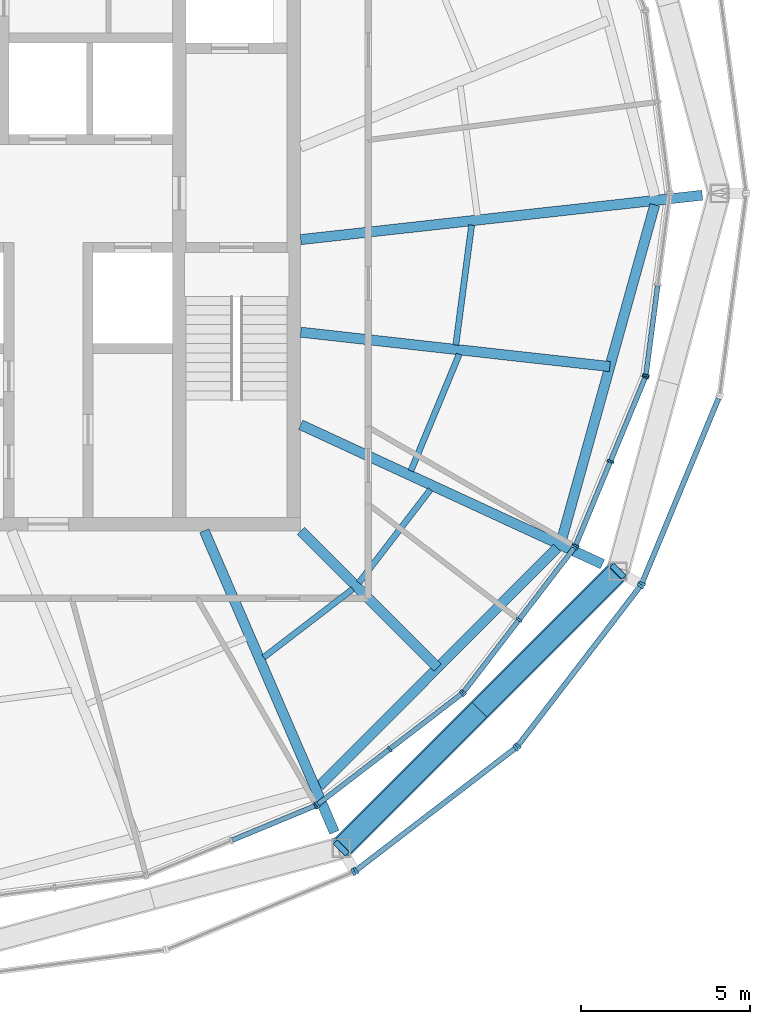
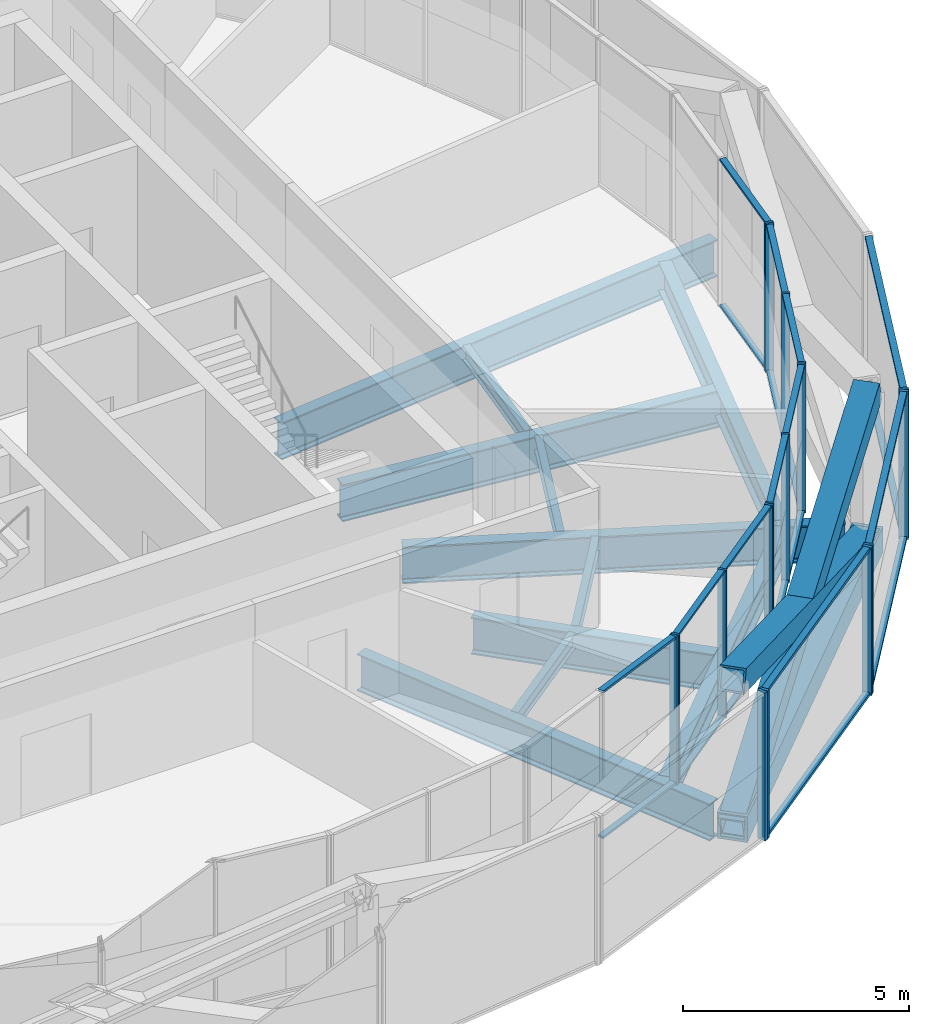
# One storey, part 5 of 17: 41 members, 12 beams, 9 elements without a shape of their own.
"""IFC4 building model written with IfcOpenShell, lengths in metres."""

import ifcopenshell
import ifcopenshell.guid

model = None  # the IFC model being written
_history = None  # IfcOwnerHistory: only IFC2X3 demands one
_inside = {}  # id of a spatial element -> (the spatial element, [elements in it])
_under = {}  # id of a project, library or spatial element -> (it, [spatial elements below it])
_declared = {}  # id of a project -> (the project, [libraries it declares])
_typed = {}  # id of a type object -> (the type object, [elements of that type])
_made_of = {}  # id of a material, layer set ... -> (it, [elements and type objects made of it])


def new_model(schema):
    """Start an empty IFC model of exactly this schema.

    Asked for "IFC4X3", IfcOpenShell would pick the latest addendum, in which some entities
    have other attributes; the version numbers below select the first issue.
    IFC2X3 requires an IfcOwnerHistory on every rooted entity: one is made here for all.
    """
    global model, _history
    if schema == "IFC4X3":
        model = ifcopenshell.file(schema_version=(4, 3, 0, 0))
    else:
        model = ifcopenshell.file(schema=schema)
    _inside.clear()
    _under.clear()
    _declared.clear()
    _typed.clear()
    _made_of.clear()
    _history = None
    if model.schema == "IFC2X3":
        org = make("IfcOrganization", Name="unknown")
        user = make(
            "IfcPersonAndOrganization",
            ThePerson=make("IfcPerson", FamilyName="unknown"),
            TheOrganization=org,
        )
        app = make(
            "IfcApplication",
            ApplicationDeveloper=org,
            Version="unknown",
            ApplicationFullName="unknown",
            ApplicationIdentifier="unknown",
        )
        _history = make(
            "IfcOwnerHistory",
            OwningUser=user,
            OwningApplication=app,
            ChangeAction="ADDED",
            CreationDate=0,
        )
    return model


def make(cls, **values):
    """One entity of the class cls with the attributes given. An attribute that is None is left unset."""
    return model.create_entity(
        cls, **{name: value for name, value in values.items() if value is not None}
    )


def rooted(cls, **values):
    """An entity with a GlobalId (a new one), such as an element, a storey or a relation."""
    return make(cls, GlobalId=ifcopenshell.guid.new(), OwnerHistory=_history, **values)


def si_unit(unit_type, name, prefix=None):
    """IfcSIUnit, for example si_unit("LENGTHUNIT", "METRE", prefix="MILLI")."""
    return make("IfcSIUnit", UnitType=unit_type, Prefix=prefix, Name=name)


def assignment(units):
    """IfcUnitAssignment: the units of a project."""
    return None if units is None else make("IfcUnitAssignment", Units=units)


def point(xyz):
    """IfcCartesianPoint."""
    return None if xyz is None else make("IfcCartesianPoint", Coordinates=xyz)


def direction(xyz):
    """IfcDirection."""
    return None if xyz is None else make("IfcDirection", DirectionRatios=xyz)


def frame(location, z_axis=None, x_axis=None):
    """IfcAxis2Placement3D, a coordinate frame: its origin and axes. An axis left out is left unset."""
    return make(
        "IfcAxis2Placement3D",
        Location=point(location),
        Axis=direction(z_axis),
        RefDirection=direction(x_axis),
    )


def frame_2d(location, x_axis=None):
    """IfcAxis2Placement2D, a coordinate frame in the plane: its origin and x axis."""
    return make(
        "IfcAxis2Placement2D", Location=point(location), RefDirection=direction(x_axis)
    )


def origin():
    """The frame at (0, 0, 0) with its axes left unset."""
    return frame((0.0, 0.0, 0.0))


def origin_2d():
    """The frame at (0, 0) in the plane with its x axis left unset."""
    return frame_2d((0.0, 0.0))


def place(relative_to, where):
    """IfcLocalPlacement: puts the frame where relative to a parent placement (None: the world)."""
    return make(
        "IfcLocalPlacement", PlacementRelTo=relative_to, RelativePlacement=where
    )


def context(
    kind, dimensions, precision=None, world=None, true_north=None, identifier=None
):
    """IfcGeometricRepresentationContext, for example the 3D "Model" context."""
    return make(
        "IfcGeometricRepresentationContext",
        ContextIdentifier=identifier,
        ContextType=kind,
        CoordinateSpaceDimension=dimensions,
        Precision=precision,
        WorldCoordinateSystem=world,
        TrueNorth=true_north,
    )


def subcontext(parent, identifier, kind, view, scale=None):
    """IfcGeometricRepresentationSubContext, for example "Body" below "Model"."""
    return make(
        "IfcGeometricRepresentationSubContext",
        ContextIdentifier=identifier,
        ContextType=kind,
        ParentContext=parent,
        TargetScale=scale,
        TargetView=view,
    )


def project(units=None, contexts=None):
    """IfcProject with its units and contexts."""
    return rooted(
        "IfcProject",
        Name="project",
        RepresentationContexts=contexts,
        UnitsInContext=assignment(units),
    )


def spatial(cls, under=None, at=None, **own):
    """A site, building, storey or space (cls), placed at a placement, below another one or the project."""
    s = rooted(cls, ObjectPlacement=at, **own)
    if under is not None:
        _under.setdefault(under.id(), (under, []))[1].append(s)
    return s


def profile(cls, at=None, kind="AREA", **sizes):
    """A parametric profile (cls). Its sizes go by their IFC names, for example OverallWidth=200.0."""
    return make(cls, ProfileType=kind, Position=at, **sizes)


def rectangle(**sizes):
    """IfcRectangleProfileDef."""
    return profile("IfcRectangleProfileDef", **sizes)


def hollow_rectangle(**sizes):
    """IfcRectangleHollowProfileDef."""
    return profile("IfcRectangleHollowProfileDef", **sizes)


def i_section(**sizes):
    """IfcIShapeProfileDef."""
    return profile("IfcIShapeProfileDef", **sizes)


def extrude(swept, where, along, depth):
    """IfcExtrudedAreaSolid: the profile swept, set in the frame where, extruded along a direction by depth."""
    return make(
        "IfcExtrudedAreaSolid",
        SweptArea=swept,
        Position=where,
        ExtrudedDirection=direction(along),
        Depth=depth,
    )


def shape(context_of_items, identifier, shape_type, items):
    """IfcShapeRepresentation: the items that make up one representation, for example the "Body"."""
    return make(
        "IfcShapeRepresentation",
        ContextOfItems=context_of_items,
        RepresentationIdentifier=identifier,
        RepresentationType=shape_type,
        Items=items,
    )


def material(Name=None, Category=None):
    """IfcMaterial."""
    return make("IfcMaterial", Name=Name, Category=Category)


def material_profile(
    of_material, cross_section, Name=None, Category=None, Priority=None
):
    """IfcMaterialProfile: a cross section and its material."""
    return make(
        "IfcMaterialProfile",
        Name=Name,
        Material=of_material,
        Profile=cross_section,
        Priority=Priority,
        Category=Category,
    )


def profile_set(profiles, Name=None, composite=None):
    """IfcMaterialProfileSet."""
    return make(
        "IfcMaterialProfileSet",
        Name=Name,
        MaterialProfiles=profiles,
        CompositeProfile=composite,
    )


def made_of(thing, what):
    """Note that an element or type object is made of a material, layer set ...; save() writes the relation."""
    if what is not None:
        _made_of.setdefault(what.id(), (what, []))[1].append(thing)
    return thing


def type_object(cls, material=None, **own):
    """A type object (cls), such as IfcWallType, which elements share."""
    return made_of(rooted(cls, **own), material)


def element(
    cls,
    number,
    at=None,
    inside=None,
    cuts=None,
    type_object=None,
    material=None,
    context=None,
    identifier="Body",
    shape_type=None,
    held_by="IfcProductDefinitionShape",
    body=None,
    shapes=None,
    **own,
):
    """One element of the class cls, such as IfcWall. Its Tag is "e" and its number.

    at: its placement. inside: the storey or other place that contains it. cuts: it is an
    opening in that element (IfcRelVoidsElement). A single representation is given by context,
    identifier, shape_type and body (its items); several are given by shapes. held_by: the class
    of the entity that holds the representations. save() writes the other relations.
    """
    e = rooted(cls, Tag="e%d" % number, ObjectPlacement=at, **own)
    if body is not None:
        shapes = [shape(context, identifier, shape_type, body)]
    if shapes is not None:
        e.Representation = make(held_by, Representations=shapes)
    if inside is not None:
        _inside.setdefault(inside.id(), (inside, []))[1].append(e)
    if cuts is not None:
        rooted(
            "IfcRelVoidsElement", RelatingBuildingElement=cuts, RelatedOpeningElement=e
        )
    if type_object is not None:
        _typed.setdefault(type_object.id(), (type_object, []))[1].append(e)
    return made_of(e, material)


def aggregate(whole, parts):
    """IfcRelAggregates: a whole, such as a stair, and the parts it consists of."""
    return rooted("IfcRelAggregates", RelatingObject=whole, RelatedObjects=parts)


def save(model, path):
    """Write the relations noted so far, then the file.

    IfcRelAggregates (storeys below a building ...), IfcRelContainedInSpatialStructure (elements
    in a storey), IfcRelDefinesByType, IfcRelAssociatesMaterial and IfcRelDeclares: one each for
    every whole, place, type object, material and project.
    """
    for whole, parts in _under.values():
        aggregate(whole, parts)
    for where, things in _inside.values():
        rooted(
            "IfcRelContainedInSpatialStructure",
            RelatedElements=things,
            RelatingStructure=where,
        )
    for kind, things in _typed.values():
        rooted("IfcRelDefinesByType", RelatedObjects=things, RelatingType=kind)
    for what, things in _made_of.values():
        rooted("IfcRelAssociatesMaterial", RelatedObjects=things, RelatingMaterial=what)
    for by, libraries in _declared.values():
        rooted("IfcRelDeclares", RelatingContext=by, RelatedDefinitions=libraries)
    model.write(path)


model = new_model("IFC4")

# Units and contexts
model_context = context("Model", 3, precision=1e-05, world=origin(), true_north=direction((0.0, 1.0)))
body_context = subcontext(model_context, "Body", "Model", "MODEL_VIEW")
ifc_project = project(units=[si_unit("LENGTHUNIT", "METRE"), si_unit("AREAUNIT", "SQUARE_METRE"), si_unit("VOLUMEUNIT", "CUBIC_METRE"), si_unit("PLANEANGLEUNIT", "RADIAN"), si_unit("MASSUNIT", "GRAM", prefix="KILO")], contexts=[model_context])

# Site, building, storey
site_placement = place(None, origin())
site = spatial("IfcSite", under=ifc_project, at=site_placement, CompositionType="ELEMENT")
building_placement = place(site_placement, origin())
building = spatial("IfcBuilding", under=site, at=building_placement, Name="Golbaran Civic Tower", CompositionType="ELEMENT")
storey_placement = place(building_placement, frame((0.0, 0.0, 280.0)))
storey = spatial("IfcBuildingStorey", under=building, at=storey_placement, Name="L68", CompositionType="ELEMENT", Elevation=280.0)

# Members
ifc_material_1 = material(Name="Steel S355", Category="steel")
ifc_material_profile_1 = material_profile(ifc_material_1, hollow_rectangle(XDim=0.60009765625, YDim=0.60009765625, WallThickness=0.050048828125, at=origin_2d()), Name="BOX 600x600x50")
ifc_profile_set_1 = profile_set([ifc_material_profile_1], Name="Steel S355")
member_type_1 = type_object("IfcMemberType", Name="CROWN FRAME LOWER BRACE BOX 600x600x50", PredefinedType="BRACE", material=ifc_profile_set_1)
for number, where, z_axis, x_axis, name in (
    (1, (11.199951171875, -19.39892578125, -0.7099609375), (0.668449627768, 0.668449627768, 0.326113768911), (-0.707106781187, 0.707106781187, 0.0), "Crown frame lower brace 11A"),
    (2, (19.39892578125, -11.199951171875, -0.7099609375), (-0.668449627768, -0.668449627768, 0.326113768911), (0.707106781187, -0.707106781187, 0.0), "Crown frame lower brace 11B"),
):
    element("IfcMember", number, at=place(storey_placement, frame(where, z_axis=z_axis, x_axis=x_axis)), inside=storey, type_object=member_type_1, Name=name, PredefinedType="BRACE", context=body_context, shape_type="SweptSolid", body=[
        extrude(hollow_rectangle(XDim=0.60009765625, YDim=0.60009765625, WallThickness=0.050048828125, at=origin_2d()), origin(), (0.0, 0.0, 1.0), 12.265625),
    ])

# Beams
ifc_material_profile_2 = material_profile(ifc_material_1, hollow_rectangle(XDim=0.699951171875, YDim=0.699951171875, WallThickness=0.080078125, at=origin_2d()), Name="BOX 700x700x80")
ifc_profile_set_2 = profile_set([ifc_material_profile_2], Name="Steel S355")
beam_type_1 = type_object("IfcBeamType", Name="DIAGRID RING TIE BOX 700x700x80", PredefinedType="BEAM", material=ifc_profile_set_2)
beam_1_placement = place(storey_placement, frame((11.199951171875, -19.39892578125, -0.7099609375), z_axis=(0.707106781187, 0.707106781187, 0.0), x_axis=(-0.707106781187, 0.707106781187, 0.0)))
element("IfcBeam", 3, at=beam_1_placement, inside=storey, type_object=beam_type_1, Name="Ring tie 300.00 L68", PredefinedType="BEAM", context=body_context, shape_type="SweptSolid", body=[
    extrude(hollow_rectangle(XDim=0.699951171875, YDim=0.699951171875, WallThickness=0.080078125, at=origin_2d()), origin(), (0.0, 0.0, 1.0), 11.59521484375),
])
ifc_material_profile_3 = material_profile(ifc_material_1, i_section(OverallWidth=0.300048828125, OverallDepth=0.800048828125, WebThickness=0.017578125, FlangeThickness=0.032958984375, FilletRadius=0.030029296875, at=origin_2d()), Name="HEB 800")
ifc_profile_set_3 = profile_set([ifc_material_profile_3], Name="Steel S355")
beam_type_2 = type_object("IfcBeamType", Name="EDGE BEAM HEB 800", PredefinedType="BEAM", material=ifc_profile_set_3)
beam_2_placement = place(storey_placement, frame((10.551513671875, -17.568359375, -0.60009765625), z_axis=(0.706273825307, 0.707938757017, 0.0), x_axis=(-0.707938757017, 0.706273825307, 0.0)))
element("IfcBeam", 4, at=beam_2_placement, inside=storey, type_object=beam_type_2, Name="Edge beam 300.00 L68", PredefinedType="BEAM", context=body_context, shape_type="SweptSolid", body=[
    extrude(i_section(OverallWidth=0.300048828125, OverallDepth=0.800048828125, WebThickness=0.017578125, FlangeThickness=0.032958984375, FilletRadius=0.030029296875, at=origin_2d()), origin(), (0.0, 0.0, 1.0), 9.971435546875),
])
beam_3_placement = place(storey_placement, frame((17.72705078125, -10.2841796875, -0.60009765625), z_axis=(0.267689014056, 0.963505366749, 0.0), x_axis=(-0.963505366749, 0.267689014056, 0.0)))
element("IfcBeam", 5, at=beam_3_placement, inside=storey, type_object=beam_type_2, Name="Edge beam 330.00 L68", PredefinedType="BEAM", context=body_context, shape_type="SweptSolid", body=[
    extrude(i_section(OverallWidth=0.300048828125, OverallDepth=0.800048828125, WebThickness=0.017578125, FlangeThickness=0.032958984375, FilletRadius=0.030029296875, at=origin_2d()), origin(), (0.0, 0.0, 1.0), 10.318603515625),
])
ifc_material_profile_4 = material_profile(ifc_material_1, i_section(OverallWidth=0.179931640625, OverallDepth=0.39990234375, WebThickness=0.008544921875, FlangeThickness=0.013427734375, FilletRadius=0.02099609375, at=origin_2d()), Name="IPE 400")
ifc_profile_set_4 = profile_set([ifc_material_profile_4], Name="Steel S355")
beam_type_3 = type_object("IfcBeamType", Name="FLOOR INFILL BEAM IPE 400", PredefinedType="BEAM", material=ifc_profile_set_4)
beam_4_placement = place(storey_placement, frame((8.9033203125, -13.75, -0.39990234375), z_axis=(0.793371165585, 0.60873819793, 0.0), x_axis=(-0.60873819793, 0.793371165585, 0.0)))
element("IfcBeam", 6, at=beam_4_placement, inside=storey, type_object=beam_type_3, Name="Infill beam 307.50 L68", PredefinedType="BEAM", context=body_context, shape_type="SweptSolid", body=[
    extrude(i_section(OverallWidth=0.179931640625, OverallDepth=0.39990234375, WebThickness=0.008544921875, FlangeThickness=0.013427734375, FilletRadius=0.02099609375, at=origin_2d()), origin(), (0.0, 0.0, 1.0), 3.32568359375),
])
beam_5_placement = place(storey_placement, frame((11.723388671875, -11.53955078125, -0.39990234375), z_axis=(0.608734654071, 0.793373884705, 0.0), x_axis=(-0.793373884705, 0.608734654071, 0.0)))
element("IfcBeam", 7, at=beam_5_placement, inside=storey, type_object=beam_type_3, Name="Infill beam 322.50 L68", PredefinedType="BEAM", context=body_context, shape_type="SweptSolid", body=[
    extrude(i_section(OverallWidth=0.179931640625, OverallDepth=0.39990234375, WebThickness=0.008544921875, FlangeThickness=0.013427734375, FilletRadius=0.02099609375, at=origin_2d()), origin(), (0.0, 0.0, 1.0), 3.48291015625),
])
beam_6_placement = place(storey_placement, frame((13.265380859375, -8.22265625, -0.39990234375), z_axis=(0.382709282091, 0.923868824781, 0.0), x_axis=(-0.923868824781, 0.382709282091, 0.0)))
element("IfcBeam", 8, at=beam_6_placement, inside=storey, type_object=beam_type_3, Name="Infill beam 337.50 L68", PredefinedType="BEAM", context=body_context, shape_type="SweptSolid", body=[
    extrude(i_section(OverallWidth=0.179931640625, OverallDepth=0.39990234375, WebThickness=0.008544921875, FlangeThickness=0.013427734375, FilletRadius=0.02099609375, at=origin_2d()), origin(), (0.0, 0.0, 1.0), 3.739501953125),
])
beam_7_placement = place(storey_placement, frame((14.595947265625, -4.494873046875, -0.39990234375), z_axis=(0.130539107774, 0.991443160923, 0.0), x_axis=(-0.991443160923, 0.130539107774, 0.0)))
element("IfcBeam", 9, at=beam_7_placement, inside=storey, type_object=beam_type_3, Name="Infill beam 352.50 L68", PredefinedType="BEAM", context=body_context, shape_type="SweptSolid", body=[
    extrude(i_section(OverallWidth=0.179931640625, OverallDepth=0.39990234375, WebThickness=0.008544921875, FlangeThickness=0.013427734375, FilletRadius=0.02099609375, at=origin_2d()), origin(), (0.0, 0.0, 1.0), 3.58349609375),
])

# Curtain wall, member
ifc_material_2 = material(Name="Aluminium and glass", Category="aluminium")
curtain_wall_type_1 = type_object("IfcCurtainWallType", Name="INNER SKIN CURTAIN WALL EXECUTIVE", PredefinedType="NOTDEFINED", material=ifc_material_2)
curtain_wall_1_placement = place(storey_placement, origin())
curtain_wall_1 = element("IfcCurtainWall", 10, at=curtain_wall_1_placement, inside=storey, type_object=curtain_wall_type_1, Name="Inner skin L68 facet 20 CW2", ObjectType="INNER SKIN", PredefinedType="USERDEFINED")
ifc_material_3 = material(Name="Aluminium", Category="aluminium")
ifc_material_profile_5 = material_profile(ifc_material_3, rectangle(XDim=0.199951171875, YDim=0.06005859375, at=origin_2d()), Name="INNER SKIN CURTAIN WALL EXECUTIVE MULLION")
ifc_profile_set_5 = profile_set([ifc_material_profile_5], Name="Aluminium")
member_type_2 = type_object("IfcMemberType", Name="INNER SKIN CURTAIN WALL EXECUTIVE MULLION", PredefinedType="MULLION", material=ifc_profile_set_5)
member_1_placement = place(storey_placement, frame((10.440673828125, -18.1435546875, 0.0), z_axis=(0.0, 0.0, 1.0), x_axis=(-0.382683432349, 0.923879532518, 0.0)))
member_1 = element("IfcMember", 11, at=member_1_placement, type_object=member_type_2, Name="CW2 mullion 3", PredefinedType="MULLION", context=body_context, shape_type="SweptSolid", body=[
    extrude(rectangle(XDim=0.199951171875, YDim=0.06005859375, at=origin_2d()), origin(), (0.0, 0.0, 1.0), 4.0),
])

# Curtain wall, members
curtain_wall_2_placement = place(storey_placement, origin())
curtain_wall_2 = element("IfcCurtainWall", 12, at=curtain_wall_2_placement, inside=storey, type_object=curtain_wall_type_1, Name="Inner skin L68 facet 21 CW2", ObjectType="INNER SKIN", PredefinedType="USERDEFINED")
member_2_placement = place(storey_placement, frame((10.4921875, -18.11376953125, 0.0), z_axis=(0.0, 0.0, 1.0), x_axis=(-0.608761428939, 0.793353340344, 0.0)))
member_2 = element("IfcMember", 13, at=member_2_placement, type_object=member_type_2, Name="CW2 mullion 1", PredefinedType="MULLION", context=body_context, shape_type="SweptSolid", body=[
    extrude(rectangle(XDim=0.199951171875, YDim=0.06005859375, at=origin_2d()), origin(), (0.0, 0.0, 1.0), 4.0),
])
member_3_placement = place(storey_placement, frame((12.63671875, -16.46826171875, 0.0), z_axis=(0.0, 0.0, 1.0), x_axis=(-0.608761428939, 0.793353340344, 0.0)))
member_3 = element("IfcMember", 14, at=member_3_placement, type_object=member_type_2, Name="CW2 mullion 2", PredefinedType="MULLION", context=body_context, shape_type="SweptSolid", body=[
    extrude(rectangle(XDim=0.199951171875, YDim=0.06005859375, at=origin_2d()), origin(), (0.0, 0.0, 1.0), 4.0),
])
member_4_placement = place(storey_placement, frame((14.781005859375, -14.822998046875, 0.0), z_axis=(0.0, 0.0, 1.0), x_axis=(-0.608761428939, 0.793353340344, 0.0)))
member_4 = element("IfcMember", 15, at=member_4_placement, type_object=member_type_2, Name="CW2 mullion 3", PredefinedType="MULLION", context=body_context, shape_type="SweptSolid", body=[
    extrude(rectangle(XDim=0.199951171875, YDim=0.06005859375, at=origin_2d()), origin(), (0.0, 0.0, 1.0), 4.0),
])

curtain_wall_3_placement = place(storey_placement, origin())
curtain_wall_3 = element("IfcCurtainWall", 16, at=curtain_wall_3_placement, inside=storey, type_object=curtain_wall_type_1, Name="Inner skin L68 facet 22 CW2", ObjectType="INNER SKIN", PredefinedType="USERDEFINED")
member_5_placement = place(storey_placement, frame((14.822998046875, -14.781005859375, 0.0), z_axis=(0.0, 0.0, 1.0), x_axis=(-0.793353340344, 0.608761428939, 0.0)))
member_5 = element("IfcMember", 17, at=member_5_placement, type_object=member_type_2, Name="CW2 mullion 1", PredefinedType="MULLION", context=body_context, shape_type="SweptSolid", body=[
    extrude(rectangle(XDim=0.199951171875, YDim=0.06005859375, at=origin_2d()), origin(), (0.0, 0.0, 1.0), 4.0),
])
member_6_placement = place(storey_placement, frame((16.46826171875, -12.63671875, 0.0), z_axis=(0.0, 0.0, 1.0), x_axis=(-0.793353340344, 0.608761428939, 0.0)))
member_6 = element("IfcMember", 18, at=member_6_placement, type_object=member_type_2, Name="CW2 mullion 2", PredefinedType="MULLION", context=body_context, shape_type="SweptSolid", body=[
    extrude(rectangle(XDim=0.199951171875, YDim=0.06005859375, at=origin_2d()), origin(), (0.0, 0.0, 1.0), 4.0),
])
member_7_placement = place(storey_placement, frame((18.11376953125, -10.4921875, 0.0), z_axis=(0.0, 0.0, 1.0), x_axis=(-0.793353340344, 0.608761428939, 0.0)))
member_7 = element("IfcMember", 19, at=member_7_placement, type_object=member_type_2, Name="CW2 mullion 3", PredefinedType="MULLION", context=body_context, shape_type="SweptSolid", body=[
    extrude(rectangle(XDim=0.199951171875, YDim=0.06005859375, at=origin_2d()), origin(), (0.0, 0.0, 1.0), 4.0),
])

curtain_wall_4_placement = place(storey_placement, origin())
curtain_wall_4 = element("IfcCurtainWall", 20, at=curtain_wall_4_placement, inside=storey, type_object=curtain_wall_type_1, Name="Inner skin L68 facet 23 CW2", ObjectType="INNER SKIN", PredefinedType="USERDEFINED")
member_8_placement = place(storey_placement, frame((18.1435546875, -10.440673828125, 0.0), z_axis=(0.0, 0.0, 1.0), x_axis=(-0.923879532518, 0.382683432349, 0.0)))
member_8 = element("IfcMember", 21, at=member_8_placement, type_object=member_type_2, Name="CW2 mullion 1", PredefinedType="MULLION", context=body_context, shape_type="SweptSolid", body=[
    extrude(rectangle(XDim=0.199951171875, YDim=0.06005859375, at=origin_2d()), origin(), (0.0, 0.0, 1.0), 4.0),
])
member_9_placement = place(storey_placement, frame((19.177734375, -7.943603515625, 0.0), z_axis=(0.0, 0.0, 1.0), x_axis=(-0.923879532518, 0.382683432349, 0.0)))
member_9 = element("IfcMember", 22, at=member_9_placement, type_object=member_type_2, Name="CW2 mullion 2", PredefinedType="MULLION", context=body_context, shape_type="SweptSolid", body=[
    extrude(rectangle(XDim=0.199951171875, YDim=0.06005859375, at=origin_2d()), origin(), (0.0, 0.0, 1.0), 4.0),
])
member_10_placement = place(storey_placement, frame((20.212158203125, -5.446533203125, 0.0), z_axis=(0.0, 0.0, 1.0), x_axis=(-0.923879532518, 0.382683432349, 0.0)))
member_10 = element("IfcMember", 23, at=member_10_placement, type_object=member_type_2, Name="CW2 mullion 3", PredefinedType="MULLION", context=body_context, shape_type="SweptSolid", body=[
    extrude(rectangle(XDim=0.199951171875, YDim=0.06005859375, at=origin_2d()), origin(), (0.0, 0.0, 1.0), 4.0),
])

# Curtain wall, member
curtain_wall_5_placement = place(storey_placement, origin())
curtain_wall_5 = element("IfcCurtainWall", 24, at=curtain_wall_5_placement, inside=storey, type_object=curtain_wall_type_1, Name="Inner skin L68 facet 24 CW2", ObjectType="INNER SKIN", PredefinedType="USERDEFINED")
member_11_placement = place(storey_placement, frame((20.2275390625, -5.38916015625, 0.0), z_axis=(0.0, 0.0, 1.0), x_axis=(-0.991444861372, 0.130526192237, 0.0)))
member_11 = element("IfcMember", 25, at=member_11_placement, type_object=member_type_2, Name="CW2 mullion 1", PredefinedType="MULLION", context=body_context, shape_type="SweptSolid", body=[
    extrude(rectangle(XDim=0.199951171875, YDim=0.06005859375, at=origin_2d()), origin(), (0.0, 0.0, 1.0), 4.0),
])

# Member
ifc_material_profile_6 = material_profile(ifc_material_3, rectangle(XDim=0.14990234375, YDim=0.06005859375, at=origin_2d()), Name="INNER SKIN CURTAIN WALL EXECUTIVE TRANSOM")
ifc_profile_set_6 = profile_set([ifc_material_profile_6], Name="Aluminium")
member_type_3 = type_object("IfcMemberType", Name="INNER SKIN CURTAIN WALL EXECUTIVE TRANSOM", PredefinedType="USERDEFINED", material=ifc_profile_set_6)
member_12_placement = place(storey_placement, frame((7.971435546875, -19.166259765625, 0.030029296875), z_axis=(0.923897489973, 0.382640076339, 0.0), x_axis=(-0.382640076339, 0.923897489973, 0.0)))
member_12 = element("IfcMember", 26, at=member_12_placement, type_object=member_type_3, Name="CW2 transom 2.1", ObjectType="TRANSOM", PredefinedType="USERDEFINED", context=body_context, shape_type="SweptSolid", body=[
    extrude(rectangle(XDim=0.14990234375, YDim=0.06005859375, at=origin_2d()), origin(), (0.0, 0.0, 1.0), 2.642822265625),
])

member_13_placement = place(storey_placement, frame((7.971435546875, -19.166259765625, 3.969970703125), z_axis=(0.923897489973, 0.382640076339, 0.0), x_axis=(-0.382640076339, 0.923897489973, 0.0)))
member_13 = element("IfcMember", 27, at=member_13_placement, type_object=member_type_3, Name="CW2 transom 2.2", ObjectType="TRANSOM", PredefinedType="USERDEFINED", context=body_context, shape_type="SweptSolid", body=[
    extrude(rectangle(XDim=0.14990234375, YDim=0.06005859375, at=origin_2d()), origin(), (0.0, 0.0, 1.0), 2.642822265625),
])

aggregate(curtain_wall_1, [member_1, member_12, member_13])

member_14_placement = place(storey_placement, frame((10.51611328125, -18.095458984375, 0.030029296875), z_axis=(0.793344603323, 0.608772815079, 0.0), x_axis=(-0.608772815079, 0.793344603323, 0.0)))
member_14 = element("IfcMember", 28, at=member_14_placement, type_object=member_type_3, Name="CW2 transom 1.1", ObjectType="TRANSOM", PredefinedType="USERDEFINED", context=body_context, shape_type="SweptSolid", body=[
    extrude(rectangle(XDim=0.14990234375, YDim=0.06005859375, at=origin_2d()), origin(), (0.0, 0.0, 1.0), 2.642822265625),
])

member_15_placement = place(storey_placement, frame((10.51611328125, -18.095458984375, 3.969970703125), z_axis=(0.793344603323, 0.608772815079, 0.0), x_axis=(-0.608772815079, 0.793344603323, 0.0)))
member_15 = element("IfcMember", 29, at=member_15_placement, type_object=member_type_3, Name="CW2 transom 1.2", ObjectType="TRANSOM", PredefinedType="USERDEFINED", context=body_context, shape_type="SweptSolid", body=[
    extrude(rectangle(XDim=0.14990234375, YDim=0.06005859375, at=origin_2d()), origin(), (0.0, 0.0, 1.0), 2.642822265625),
])

member_16_placement = place(storey_placement, frame((12.660400390625, -16.449951171875, 0.030029296875), z_axis=(0.793389219324, 0.60871466769, 0.0), x_axis=(-0.60871466769, 0.793389219324, 0.0)))
member_16 = element("IfcMember", 30, at=member_16_placement, type_object=member_type_3, Name="CW2 transom 2.1", ObjectType="TRANSOM", PredefinedType="USERDEFINED", context=body_context, shape_type="SweptSolid", body=[
    extrude(rectangle(XDim=0.14990234375, YDim=0.06005859375, at=origin_2d()), origin(), (0.0, 0.0, 1.0), 2.642578125),
])

member_17_placement = place(storey_placement, frame((12.660400390625, -16.449951171875, 3.969970703125), z_axis=(0.793389219324, 0.60871466769, 0.0), x_axis=(-0.60871466769, 0.793389219324, 0.0)))
member_17 = element("IfcMember", 31, at=member_17_placement, type_object=member_type_3, Name="CW2 transom 2.2", ObjectType="TRANSOM", PredefinedType="USERDEFINED", context=body_context, shape_type="SweptSolid", body=[
    extrude(rectangle(XDim=0.14990234375, YDim=0.06005859375, at=origin_2d()), origin(), (0.0, 0.0, 1.0), 2.642578125),
])

aggregate(curtain_wall_2, [member_2, member_3, member_4, member_14, member_15, member_16, member_17])

member_18_placement = place(storey_placement, frame((14.84130859375, -14.757080078125, 0.030029296875), z_axis=(0.60871466769, 0.793389219324, 0.0), x_axis=(-0.793389219324, 0.60871466769, 0.0)))
member_18 = element("IfcMember", 32, at=member_18_placement, type_object=member_type_3, Name="CW2 transom 1.1", ObjectType="TRANSOM", PredefinedType="USERDEFINED", context=body_context, shape_type="SweptSolid", body=[
    extrude(rectangle(XDim=0.14990234375, YDim=0.06005859375, at=origin_2d()), origin(), (0.0, 0.0, 1.0), 2.642578125),
])

member_19_placement = place(storey_placement, frame((14.84130859375, -14.757080078125, 3.969970703125), z_axis=(0.60871466769, 0.793389219324, 0.0), x_axis=(-0.793389219324, 0.60871466769, 0.0)))
member_19 = element("IfcMember", 33, at=member_19_placement, type_object=member_type_3, Name="CW2 transom 1.2", ObjectType="TRANSOM", PredefinedType="USERDEFINED", context=body_context, shape_type="SweptSolid", body=[
    extrude(rectangle(XDim=0.14990234375, YDim=0.06005859375, at=origin_2d()), origin(), (0.0, 0.0, 1.0), 2.642578125),
])

member_20_placement = place(storey_placement, frame((16.486572265625, -12.61279296875, 0.030029296875), z_axis=(0.608772815079, 0.793344603323, 0.0), x_axis=(-0.793344603323, 0.608772815079, 0.0)))
member_20 = element("IfcMember", 34, at=member_20_placement, type_object=member_type_3, Name="CW2 transom 2.1", ObjectType="TRANSOM", PredefinedType="USERDEFINED", context=body_context, shape_type="SweptSolid", body=[
    extrude(rectangle(XDim=0.14990234375, YDim=0.06005859375, at=origin_2d()), origin(), (0.0, 0.0, 1.0), 2.642822265625),
])

member_21_placement = place(storey_placement, frame((16.486572265625, -12.61279296875, 3.969970703125), z_axis=(0.608772815079, 0.793344603323, 0.0), x_axis=(-0.793344603323, 0.608772815079, 0.0)))
member_21 = element("IfcMember", 35, at=member_21_placement, type_object=member_type_3, Name="CW2 transom 2.2", ObjectType="TRANSOM", PredefinedType="USERDEFINED", context=body_context, shape_type="SweptSolid", body=[
    extrude(rectangle(XDim=0.14990234375, YDim=0.06005859375, at=origin_2d()), origin(), (0.0, 0.0, 1.0), 2.642822265625),
])

aggregate(curtain_wall_3, [member_5, member_6, member_7, member_18, member_19, member_20, member_21])

member_22_placement = place(storey_placement, frame((18.155029296875, -10.4130859375, 0.030029296875), z_axis=(0.382640076339, 0.923897489973, 0.0), x_axis=(-0.923897489973, 0.382640076339, 0.0)))
member_22 = element("IfcMember", 36, at=member_22_placement, type_object=member_type_3, Name="CW2 transom 1.1", ObjectType="TRANSOM", PredefinedType="USERDEFINED", context=body_context, shape_type="SweptSolid", body=[
    extrude(rectangle(XDim=0.14990234375, YDim=0.06005859375, at=origin_2d()), origin(), (0.0, 0.0, 1.0), 2.642822265625),
])

member_23_placement = place(storey_placement, frame((18.155029296875, -10.4130859375, 3.969970703125), z_axis=(0.382640076339, 0.923897489973, 0.0), x_axis=(-0.923897489973, 0.382640076339, 0.0)))
member_23 = element("IfcMember", 37, at=member_23_placement, type_object=member_type_3, Name="CW2 transom 1.2", ObjectType="TRANSOM", PredefinedType="USERDEFINED", context=body_context, shape_type="SweptSolid", body=[
    extrude(rectangle(XDim=0.14990234375, YDim=0.06005859375, at=origin_2d()), origin(), (0.0, 0.0, 1.0), 2.642822265625),
])

member_24_placement = place(storey_placement, frame((19.189208984375, -7.916015625, 0.030029296875), z_axis=(0.382718926922, 0.923864829386, 0.0), x_axis=(-0.923864829386, 0.382718926922, 0.0)))
member_24 = element("IfcMember", 38, at=member_24_placement, type_object=member_type_3, Name="CW2 transom 2.1", ObjectType="TRANSOM", PredefinedType="USERDEFINED", context=body_context, shape_type="SweptSolid", body=[
    extrude(rectangle(XDim=0.14990234375, YDim=0.06005859375, at=origin_2d()), origin(), (0.0, 0.0, 1.0), 2.642822265625),
])

member_25_placement = place(storey_placement, frame((19.189208984375, -7.916015625, 3.969970703125), z_axis=(0.382718926922, 0.923864829386, 0.0), x_axis=(-0.923864829386, 0.382718926922, 0.0)))
member_25 = element("IfcMember", 39, at=member_25_placement, type_object=member_type_3, Name="CW2 transom 2.2", ObjectType="TRANSOM", PredefinedType="USERDEFINED", context=body_context, shape_type="SweptSolid", body=[
    extrude(rectangle(XDim=0.14990234375, YDim=0.06005859375, at=origin_2d()), origin(), (0.0, 0.0, 1.0), 2.642822265625),
])

aggregate(curtain_wall_4, [member_8, member_9, member_10, member_22, member_23, member_24, member_25])

member_26_placement = place(storey_placement, frame((20.2314453125, -5.359375, 0.030029296875), z_axis=(0.130535763012, 0.991443601308, 0.0), x_axis=(-0.991443601308, 0.130535763012, 0.0)))
member_26 = element("IfcMember", 40, at=member_26_placement, type_object=member_type_3, Name="CW2 transom 1.1", ObjectType="TRANSOM", PredefinedType="USERDEFINED", context=body_context, shape_type="SweptSolid", body=[
    extrude(rectangle(XDim=0.14990234375, YDim=0.06005859375, at=origin_2d()), origin(), (0.0, 0.0, 1.0), 2.642822265625),
])

member_27_placement = place(storey_placement, frame((20.2314453125, -5.359375, 3.969970703125), z_axis=(0.130535763012, 0.991443601308, 0.0), x_axis=(-0.991443601308, 0.130535763012, 0.0)))
member_27 = element("IfcMember", 41, at=member_27_placement, type_object=member_type_3, Name="CW2 transom 1.2", ObjectType="TRANSOM", PredefinedType="USERDEFINED", context=body_context, shape_type="SweptSolid", body=[
    extrude(rectangle(XDim=0.14990234375, YDim=0.06005859375, at=origin_2d()), origin(), (0.0, 0.0, 1.0), 2.642822265625),
])

aggregate(curtain_wall_5, [member_11, member_26, member_27])

# Curtain wall, member
curtain_wall_type_2 = type_object("IfcCurtainWallType", Name="OUTER SKIN TERRACOTTA SCREEN", PredefinedType="NOTDEFINED", material=ifc_material_2)
curtain_wall_6_placement = place(storey_placement, origin())
curtain_wall_6 = element("IfcCurtainWall", 42, at=curtain_wall_6_placement, inside=storey, type_object=curtain_wall_type_2, Name="Outer skin L68 facet 20 CW3", ObjectType="OUTER SKIN", PredefinedType="USERDEFINED")
ifc_material_profile_7 = material_profile(ifc_material_3, rectangle(XDim=0.219970703125, YDim=0.080078125, at=origin_2d()), Name="OUTER SKIN TERRACOTTA SCREEN MULLION")
ifc_profile_set_7 = profile_set([ifc_material_profile_7], Name="Aluminium")
member_type_4 = type_object("IfcMemberType", Name="OUTER SKIN TERRACOTTA SCREEN MULLION", PredefinedType="MULLION", material=ifc_profile_set_7)
member_28_placement = place(storey_placement, frame((11.56298828125, -20.107177734375, -0.7099609375), z_axis=(0.0, 0.0, 1.0), x_axis=(-0.382683432333, 0.923879532525, 0.0)))
member_28 = element("IfcMember", 43, at=member_28_placement, type_object=member_type_4, Name="CW3 mullion 2", PredefinedType="MULLION", context=body_context, shape_type="SweptSolid", body=[
    extrude(rectangle(XDim=0.219970703125, YDim=0.080078125, at=origin_2d()), origin(), (0.0, 0.0, 1.0), 4.0),
])
aggregate(curtain_wall_6, [member_28])

# Curtain wall, members
curtain_wall_7_placement = place(storey_placement, origin())
curtain_wall_7 = element("IfcCurtainWall", 44, at=curtain_wall_7_placement, inside=storey, type_object=curtain_wall_type_2, Name="Outer skin L68 facet 21 CW3", ObjectType="OUTER SKIN", PredefinedType="USERDEFINED")
member_29_placement = place(storey_placement, frame((11.6318359375, -20.0673828125, -0.7099609375), z_axis=(0.0, 0.0, 1.0), x_axis=(-0.608761428939, 0.793353340344, 0.0)))
member_29 = element("IfcMember", 45, at=member_29_placement, type_object=member_type_4, Name="CW3 mullion 1", PredefinedType="MULLION", context=body_context, shape_type="SweptSolid", body=[
    extrude(rectangle(XDim=0.219970703125, YDim=0.080078125, at=origin_2d()), origin(), (0.0, 0.0, 1.0), 4.0),
])
member_30_placement = place(storey_placement, frame((16.373046875, -16.42919921875, -0.7099609375), z_axis=(0.0, 0.0, 1.0), x_axis=(-0.608761428939, 0.793353340344, 0.0)))
member_30 = element("IfcMember", 46, at=member_30_placement, type_object=member_type_4, Name="CW3 mullion 2", PredefinedType="MULLION", context=body_context, shape_type="SweptSolid", body=[
    extrude(rectangle(XDim=0.219970703125, YDim=0.080078125, at=origin_2d()), origin(), (0.0, 0.0, 1.0), 4.0),
])

curtain_wall_8_placement = place(storey_placement, origin())
curtain_wall_8 = element("IfcCurtainWall", 47, at=curtain_wall_8_placement, inside=storey, type_object=curtain_wall_type_2, Name="Outer skin L68 facet 22 CW3", ObjectType="OUTER SKIN", PredefinedType="USERDEFINED")
member_31_placement = place(storey_placement, frame((16.42919921875, -16.373046875, -0.7099609375), z_axis=(0.0, 0.0, 1.0), x_axis=(-0.793353340344, 0.608761428939, 0.0)))
member_31 = element("IfcMember", 48, at=member_31_placement, type_object=member_type_4, Name="CW3 mullion 1", PredefinedType="MULLION", context=body_context, shape_type="SweptSolid", body=[
    extrude(rectangle(XDim=0.219970703125, YDim=0.080078125, at=origin_2d()), origin(), (0.0, 0.0, 1.0), 4.0),
])
member_32_placement = place(storey_placement, frame((20.0673828125, -11.6318359375, -0.7099609375), z_axis=(0.0, 0.0, 1.0), x_axis=(-0.793353340344, 0.608761428939, 0.0)))
member_32 = element("IfcMember", 49, at=member_32_placement, type_object=member_type_4, Name="CW3 mullion 2", PredefinedType="MULLION", context=body_context, shape_type="SweptSolid", body=[
    extrude(rectangle(XDim=0.219970703125, YDim=0.080078125, at=origin_2d()), origin(), (0.0, 0.0, 1.0), 4.0),
])

# Curtain wall, member
curtain_wall_9_placement = place(storey_placement, origin())
curtain_wall_9 = element("IfcCurtainWall", 50, at=curtain_wall_9_placement, inside=storey, type_object=curtain_wall_type_2, Name="Outer skin L68 facet 23 CW3", ObjectType="OUTER SKIN", PredefinedType="USERDEFINED")
member_33_placement = place(storey_placement, frame((20.107177734375, -11.56298828125, -0.7099609375), z_axis=(0.0, 0.0, 1.0), x_axis=(-0.923879532525, 0.382683432333, 0.0)))
member_33 = element("IfcMember", 51, at=member_33_placement, type_object=member_type_4, Name="CW3 mullion 1", PredefinedType="MULLION", context=body_context, shape_type="SweptSolid", body=[
    extrude(rectangle(XDim=0.219970703125, YDim=0.080078125, at=origin_2d()), origin(), (0.0, 0.0, 1.0), 4.0),
])

# Member
ifc_material_profile_8 = material_profile(ifc_material_3, rectangle(XDim=0.159912109375, YDim=0.080078125, at=origin_2d()), Name="OUTER SKIN TERRACOTTA SCREEN TRANSOM")
ifc_profile_set_8 = profile_set([ifc_material_profile_8], Name="Aluminium")
member_type_5 = type_object("IfcMemberType", Name="OUTER SKIN TERRACOTTA SCREEN TRANSOM", PredefinedType="USERDEFINED", material=ifc_profile_set_8)
member_34_placement = place(storey_placement, frame((11.66357421875, -20.04296875, -0.669921875), z_axis=(0.793353042116, 0.608761817598, 0.0), x_axis=(-0.608761817598, 0.793353042116, 0.0)))
member_34 = element("IfcMember", 52, at=member_34_placement, type_object=member_type_5, Name="CW3 transom 1.1", ObjectType="TRANSOM", PredefinedType="USERDEFINED", context=body_context, shape_type="SweptSolid", body=[
    extrude(rectangle(XDim=0.159912109375, YDim=0.080078125, at=origin_2d()), origin(), (0.0, 0.0, 1.0), 5.896240234375),
])

member_35_placement = place(storey_placement, frame((11.66357421875, -20.04296875, 3.25), z_axis=(0.793353042116, 0.608761817598, 0.0), x_axis=(-0.608761817598, 0.793353042116, 0.0)))
member_35 = element("IfcMember", 53, at=member_35_placement, type_object=member_type_5, Name="CW3 transom 1.2", ObjectType="TRANSOM", PredefinedType="USERDEFINED", context=body_context, shape_type="SweptSolid", body=[
    extrude(rectangle(XDim=0.159912109375, YDim=0.080078125, at=origin_2d()), origin(), (0.0, 0.0, 1.0), 5.896240234375),
])

aggregate(curtain_wall_7, [member_29, member_30, member_34, member_35])

member_36_placement = place(storey_placement, frame((16.45361328125, -16.34130859375, -0.669921875), z_axis=(0.608761817598, 0.793353042116, 0.0), x_axis=(-0.793353042116, 0.608761817598, 0.0)))
member_36 = element("IfcMember", 54, at=member_36_placement, type_object=member_type_5, Name="CW3 transom 1.1", ObjectType="TRANSOM", PredefinedType="USERDEFINED", context=body_context, shape_type="SweptSolid", body=[
    extrude(rectangle(XDim=0.159912109375, YDim=0.080078125, at=origin_2d()), origin(), (0.0, 0.0, 1.0), 5.896240234375),
])

member_37_placement = place(storey_placement, frame((16.45361328125, -16.34130859375, 3.25), z_axis=(0.608761817598, 0.793353042116, 0.0), x_axis=(-0.793353042116, 0.608761817598, 0.0)))
member_37 = element("IfcMember", 55, at=member_37_placement, type_object=member_type_5, Name="CW3 transom 1.2", ObjectType="TRANSOM", PredefinedType="USERDEFINED", context=body_context, shape_type="SweptSolid", body=[
    extrude(rectangle(XDim=0.159912109375, YDim=0.080078125, at=origin_2d()), origin(), (0.0, 0.0, 1.0), 5.896240234375),
])

aggregate(curtain_wall_8, [member_31, member_32, member_36, member_37])

member_38_placement = place(storey_placement, frame((20.122314453125, -11.526123046875, -0.669921875), z_axis=(0.382706502494, 0.923869976214, 0.0), x_axis=(-0.923869976214, 0.382706502494, 0.0)))
member_38 = element("IfcMember", 56, at=member_38_placement, type_object=member_type_5, Name="CW3 transom 1.1", ObjectType="TRANSOM", PredefinedType="USERDEFINED", context=body_context, shape_type="SweptSolid", body=[
    extrude(rectangle(XDim=0.159912109375, YDim=0.080078125, at=origin_2d()), origin(), (0.0, 0.0, 1.0), 5.896484375),
])

member_39_placement = place(storey_placement, frame((20.122314453125, -11.526123046875, 3.25), z_axis=(0.382706502494, 0.923869976214, 0.0), x_axis=(-0.923869976214, 0.382706502494, 0.0)))
member_39 = element("IfcMember", 57, at=member_39_placement, type_object=member_type_5, Name="CW3 transom 1.2", ObjectType="TRANSOM", PredefinedType="USERDEFINED", context=body_context, shape_type="SweptSolid", body=[
    extrude(rectangle(XDim=0.159912109375, YDim=0.080078125, at=origin_2d()), origin(), (0.0, 0.0, 1.0), 5.896484375),
])

aggregate(curtain_wall_9, [member_33, member_38, member_39])

# Beams
ifc_material_profile_9 = material_profile(ifc_material_1, i_section(OverallWidth=0.300048828125, OverallDepth=1.0, WebThickness=0.01904296875, FlangeThickness=0.035888671875, FilletRadius=0.030029296875, at=origin_2d()), Name="HEB 1000")
ifc_profile_set_9 = profile_set([ifc_material_profile_9], Name="Steel S355")
beam_type_4 = type_object("IfcBeamType", Name="RADIAL FLOOR BEAM HEB 1000", PredefinedType="BEAM", material=ifc_profile_set_9)
beam_8_placement = place(storey_placement, frame((10.0, -1.371337890625, -0.7099609375), z_axis=(0.99394081094, 0.109916624534, 0.0), x_axis=(-0.109916624534, 0.99394081094, 0.0)))
element("IfcBeam", 58, at=beam_8_placement, inside=storey, type_object=beam_type_4, Name="Radial beam 0.00 L68", PredefinedType="BEAM", context=body_context, shape_type="SweptSolid", body=[
    extrude(i_section(OverallWidth=0.300048828125, OverallDepth=1.0, WebThickness=0.01904296875, FlangeThickness=0.035888671875, FilletRadius=0.030029296875, at=origin_2d()), origin(), (0.0, 0.0, 1.0), 11.9697265625),
])
beam_9_placement = place(storey_placement, frame((7.142822265625, -10.0, -0.7099609375), z_axis=(0.396310096552, -0.918116717728, 0.0), x_axis=(0.918116717728, 0.396310096552, 0.0)))
element("IfcBeam", 59, at=beam_9_placement, inside=storey, type_object=beam_type_4, Name="Radial beam 300.00 L68", PredefinedType="BEAM", context=body_context, shape_type="SweptSolid", body=[
    extrude(i_section(OverallWidth=0.300048828125, OverallDepth=1.0, WebThickness=0.01904296875, FlangeThickness=0.035888671875, FilletRadius=0.030029296875, at=origin_2d()), origin(), (0.0, 0.0, 1.0), 9.73095703125),
])
beam_10_placement = place(storey_placement, frame((10.0, -6.857177734375, -0.7099609375), z_axis=(0.907779382464, -0.419447961938, 0.0), x_axis=(0.419447961938, 0.907779382464, 0.0)))
element("IfcBeam", 60, at=beam_10_placement, inside=storey, type_object=beam_type_4, Name="Radial beam 330.00 L68", PredefinedType="BEAM", context=body_context, shape_type="SweptSolid", body=[
    extrude(i_section(OverallWidth=0.300048828125, OverallDepth=1.0, WebThickness=0.01904296875, FlangeThickness=0.035888671875, FilletRadius=0.030029296875, at=origin_2d()), origin(), (0.0, 0.0, 1.0), 9.849609375),
])
ifc_material_profile_10 = material_profile(ifc_material_1, i_section(OverallWidth=0.300048828125, OverallDepth=1.0, WebThickness=0.01904296875, FlangeThickness=0.035888671875, FilletRadius=0.030029296875, at=origin_2d()), Name="HEB 1000")
ifc_profile_set_10 = profile_set([ifc_material_profile_10], Name="Steel S355")
beam_type_5 = type_object("IfcBeamType", Name="SECONDARY FLOOR BEAM HEB 1000", PredefinedType="BEAM", material=ifc_profile_set_10)
beam_11_placement = place(storey_placement, frame((10.0, -10.0, -0.7099609375), z_axis=(0.707106781187, -0.707106781187, 0.0), x_axis=(0.707106781187, 0.707106781187, 0.0)))
element("IfcBeam", 61, at=beam_11_placement, inside=storey, type_object=beam_type_5, Name="Secondary beam 315.00 L68", PredefinedType="BEAM", context=body_context, shape_type="SweptSolid", body=[
    extrude(i_section(OverallWidth=0.300048828125, OverallDepth=1.0, WebThickness=0.01904296875, FlangeThickness=0.035888671875, FilletRadius=0.030029296875, at=origin_2d()), origin(), (0.0, 0.0, 1.0), 5.735595703125),
])
beam_12_placement = place(storey_placement, frame((10.0, -4.1142578125, -0.7099609375), z_axis=(0.993866274591, -0.1105885538, 0.0), x_axis=(0.1105885538, 0.993866274591, 0.0)))
element("IfcBeam", 62, at=beam_12_placement, inside=storey, type_object=beam_type_5, Name="Secondary beam 345.00 L68", PredefinedType="BEAM", context=body_context, shape_type="SweptSolid", body=[
    extrude(i_section(OverallWidth=0.300048828125, OverallDepth=1.0, WebThickness=0.01904296875, FlangeThickness=0.035888671875, FilletRadius=0.030029296875, at=origin_2d()), origin(), (0.0, 0.0, 1.0), 9.21484375),
])

save(model, "model.ifc")
